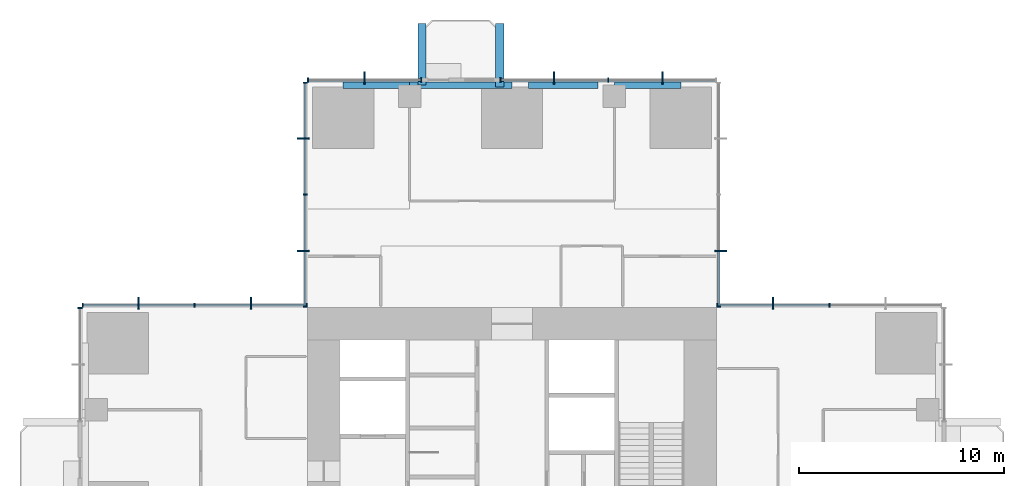
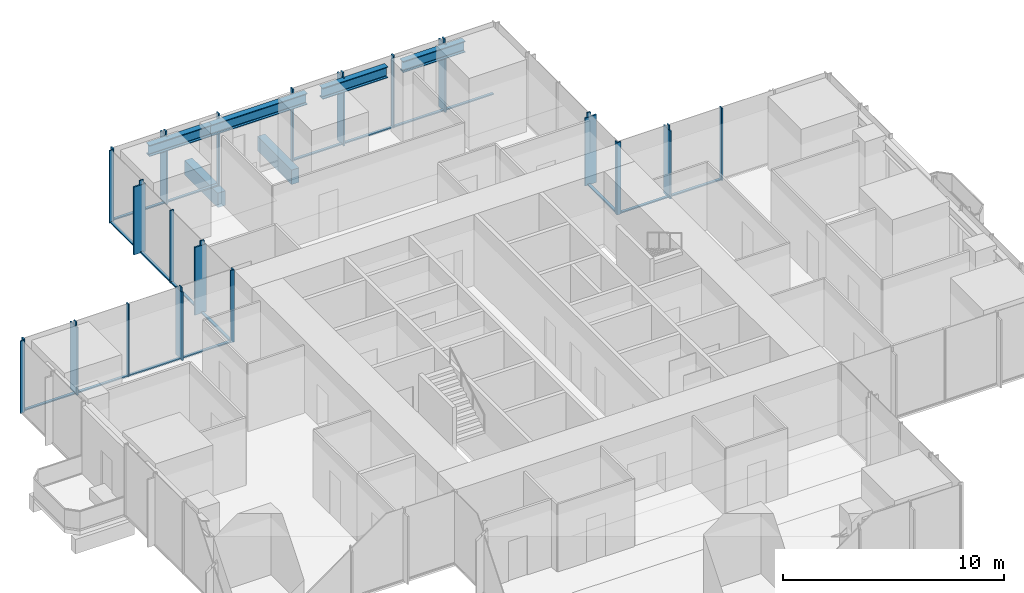
# One storey, part 5 of 13: 49 members, 6 beams, 7 elements without a shape of their own.
"""IFC4 building model written with IfcOpenShell, lengths in metres."""

import ifcopenshell
import ifcopenshell.guid

model = None  # the IFC model being written
_history = None  # IfcOwnerHistory: only IFC2X3 demands one
_inside = {}  # id of a spatial element -> (the spatial element, [elements in it])
_under = {}  # id of a project, library or spatial element -> (it, [spatial elements below it])
_declared = {}  # id of a project -> (the project, [libraries it declares])
_typed = {}  # id of a type object -> (the type object, [elements of that type])
_made_of = {}  # id of a material, layer set ... -> (it, [elements and type objects made of it])


def new_model(schema):
    """Start an empty IFC model of exactly this schema.

    Asked for "IFC4X3", IfcOpenShell would pick the latest addendum, in which some entities
    have other attributes; the version numbers below select the first issue.
    IFC2X3 requires an IfcOwnerHistory on every rooted entity: one is made here for all.
    """
    global model, _history
    if schema == "IFC4X3":
        model = ifcopenshell.file(schema_version=(4, 3, 0, 0))
    else:
        model = ifcopenshell.file(schema=schema)
    _inside.clear()
    _under.clear()
    _declared.clear()
    _typed.clear()
    _made_of.clear()
    _history = None
    if model.schema == "IFC2X3":
        org = make("IfcOrganization", Name="unknown")
        user = make(
            "IfcPersonAndOrganization",
            ThePerson=make("IfcPerson", FamilyName="unknown"),
            TheOrganization=org,
        )
        app = make(
            "IfcApplication",
            ApplicationDeveloper=org,
            Version="unknown",
            ApplicationFullName="unknown",
            ApplicationIdentifier="unknown",
        )
        _history = make(
            "IfcOwnerHistory",
            OwningUser=user,
            OwningApplication=app,
            ChangeAction="ADDED",
            CreationDate=0,
        )
    return model


def make(cls, **values):
    """One entity of the class cls with the attributes given. An attribute that is None is left unset."""
    return model.create_entity(
        cls, **{name: value for name, value in values.items() if value is not None}
    )


def rooted(cls, **values):
    """An entity with a GlobalId (a new one), such as an element, a storey or a relation."""
    return make(cls, GlobalId=ifcopenshell.guid.new(), OwnerHistory=_history, **values)


def si_unit(unit_type, name, prefix=None):
    """IfcSIUnit, for example si_unit("LENGTHUNIT", "METRE", prefix="MILLI")."""
    return make("IfcSIUnit", UnitType=unit_type, Prefix=prefix, Name=name)


def assignment(units):
    """IfcUnitAssignment: the units of a project."""
    return None if units is None else make("IfcUnitAssignment", Units=units)


def point(xyz):
    """IfcCartesianPoint."""
    return None if xyz is None else make("IfcCartesianPoint", Coordinates=xyz)


def direction(xyz):
    """IfcDirection."""
    return None if xyz is None else make("IfcDirection", DirectionRatios=xyz)


def frame(location, z_axis=None, x_axis=None):
    """IfcAxis2Placement3D, a coordinate frame: its origin and axes. An axis left out is left unset."""
    return make(
        "IfcAxis2Placement3D",
        Location=point(location),
        Axis=direction(z_axis),
        RefDirection=direction(x_axis),
    )


def frame_2d(location, x_axis=None):
    """IfcAxis2Placement2D, a coordinate frame in the plane: its origin and x axis."""
    return make(
        "IfcAxis2Placement2D", Location=point(location), RefDirection=direction(x_axis)
    )


def origin():
    """The frame at (0, 0, 0) with its axes left unset."""
    return frame((0.0, 0.0, 0.0))


def origin_2d():
    """The frame at (0, 0) in the plane with its x axis left unset."""
    return frame_2d((0.0, 0.0))


def place(relative_to, where):
    """IfcLocalPlacement: puts the frame where relative to a parent placement (None: the world)."""
    return make(
        "IfcLocalPlacement", PlacementRelTo=relative_to, RelativePlacement=where
    )


def context(
    kind, dimensions, precision=None, world=None, true_north=None, identifier=None
):
    """IfcGeometricRepresentationContext, for example the 3D "Model" context."""
    return make(
        "IfcGeometricRepresentationContext",
        ContextIdentifier=identifier,
        ContextType=kind,
        CoordinateSpaceDimension=dimensions,
        Precision=precision,
        WorldCoordinateSystem=world,
        TrueNorth=true_north,
    )


def subcontext(parent, identifier, kind, view, scale=None):
    """IfcGeometricRepresentationSubContext, for example "Body" below "Model"."""
    return make(
        "IfcGeometricRepresentationSubContext",
        ContextIdentifier=identifier,
        ContextType=kind,
        ParentContext=parent,
        TargetScale=scale,
        TargetView=view,
    )


def project(units=None, contexts=None):
    """IfcProject with its units and contexts."""
    return rooted(
        "IfcProject",
        Name="project",
        RepresentationContexts=contexts,
        UnitsInContext=assignment(units),
    )


def spatial(cls, under=None, at=None, **own):
    """A site, building, storey or space (cls), placed at a placement, below another one or the project."""
    s = rooted(cls, ObjectPlacement=at, **own)
    if under is not None:
        _under.setdefault(under.id(), (under, []))[1].append(s)
    return s


def profile(cls, at=None, kind="AREA", **sizes):
    """A parametric profile (cls). Its sizes go by their IFC names, for example OverallWidth=200.0."""
    return make(cls, ProfileType=kind, Position=at, **sizes)


def rectangle(**sizes):
    """IfcRectangleProfileDef."""
    return profile("IfcRectangleProfileDef", **sizes)


def i_section(**sizes):
    """IfcIShapeProfileDef."""
    return profile("IfcIShapeProfileDef", **sizes)


def extrude(swept, where, along, depth):
    """IfcExtrudedAreaSolid: the profile swept, set in the frame where, extruded along a direction by depth."""
    return make(
        "IfcExtrudedAreaSolid",
        SweptArea=swept,
        Position=where,
        ExtrudedDirection=direction(along),
        Depth=depth,
    )


def shape(context_of_items, identifier, shape_type, items):
    """IfcShapeRepresentation: the items that make up one representation, for example the "Body"."""
    return make(
        "IfcShapeRepresentation",
        ContextOfItems=context_of_items,
        RepresentationIdentifier=identifier,
        RepresentationType=shape_type,
        Items=items,
    )


def material(Name=None, Category=None):
    """IfcMaterial."""
    return make("IfcMaterial", Name=Name, Category=Category)


def material_profile(
    of_material, cross_section, Name=None, Category=None, Priority=None
):
    """IfcMaterialProfile: a cross section and its material."""
    return make(
        "IfcMaterialProfile",
        Name=Name,
        Material=of_material,
        Profile=cross_section,
        Priority=Priority,
        Category=Category,
    )


def profile_set(profiles, Name=None, composite=None):
    """IfcMaterialProfileSet."""
    return make(
        "IfcMaterialProfileSet",
        Name=Name,
        MaterialProfiles=profiles,
        CompositeProfile=composite,
    )


def made_of(thing, what):
    """Note that an element or type object is made of a material, layer set ...; save() writes the relation."""
    if what is not None:
        _made_of.setdefault(what.id(), (what, []))[1].append(thing)
    return thing


def type_object(cls, material=None, **own):
    """A type object (cls), such as IfcWallType, which elements share."""
    return made_of(rooted(cls, **own), material)


def element(
    cls,
    number,
    at=None,
    inside=None,
    cuts=None,
    type_object=None,
    material=None,
    context=None,
    identifier="Body",
    shape_type=None,
    held_by="IfcProductDefinitionShape",
    body=None,
    shapes=None,
    **own,
):
    """One element of the class cls, such as IfcWall. Its Tag is "e" and its number.

    at: its placement. inside: the storey or other place that contains it. cuts: it is an
    opening in that element (IfcRelVoidsElement). A single representation is given by context,
    identifier, shape_type and body (its items); several are given by shapes. held_by: the class
    of the entity that holds the representations. save() writes the other relations.
    """
    e = rooted(cls, Tag="e%d" % number, ObjectPlacement=at, **own)
    if body is not None:
        shapes = [shape(context, identifier, shape_type, body)]
    if shapes is not None:
        e.Representation = make(held_by, Representations=shapes)
    if inside is not None:
        _inside.setdefault(inside.id(), (inside, []))[1].append(e)
    if cuts is not None:
        rooted(
            "IfcRelVoidsElement", RelatingBuildingElement=cuts, RelatedOpeningElement=e
        )
    if type_object is not None:
        _typed.setdefault(type_object.id(), (type_object, []))[1].append(e)
    return made_of(e, material)


def aggregate(whole, parts):
    """IfcRelAggregates: a whole, such as a stair, and the parts it consists of."""
    return rooted("IfcRelAggregates", RelatingObject=whole, RelatedObjects=parts)


def save(model, path):
    """Write the relations noted so far, then the file.

    IfcRelAggregates (storeys below a building ...), IfcRelContainedInSpatialStructure (elements
    in a storey), IfcRelDefinesByType, IfcRelAssociatesMaterial and IfcRelDeclares: one each for
    every whole, place, type object, material and project.
    """
    for whole, parts in _under.values():
        aggregate(whole, parts)
    for where, things in _inside.values():
        rooted(
            "IfcRelContainedInSpatialStructure",
            RelatedElements=things,
            RelatingStructure=where,
        )
    for kind, things in _typed.values():
        rooted("IfcRelDefinesByType", RelatedObjects=things, RelatingType=kind)
    for what, things in _made_of.values():
        rooted("IfcRelAssociatesMaterial", RelatedObjects=things, RelatingMaterial=what)
    for by, libraries in _declared.values():
        rooted("IfcRelDeclares", RelatingContext=by, RelatedDefinitions=libraries)
    model.write(path)


model = new_model("IFC4")

# Units and contexts
model_context = context("Model", 3, precision=1e-05, world=origin(), true_north=direction((0.0, 1.0)))
body_context = subcontext(model_context, "Body", "Model", "MODEL_VIEW")
ifc_project = project(units=[si_unit("LENGTHUNIT", "METRE"), si_unit("AREAUNIT", "SQUARE_METRE"), si_unit("VOLUMEUNIT", "CUBIC_METRE"), si_unit("PLANEANGLEUNIT", "RADIAN"), si_unit("MASSUNIT", "GRAM", prefix="KILO")], contexts=[model_context])

# Site, building, storey
site_placement = place(None, origin())
site = spatial("IfcSite", under=ifc_project, at=site_placement, CompositionType="ELEMENT")
building_placement = place(site_placement, origin())
building = spatial("IfcBuilding", under=site, at=building_placement, Name="Svetlomir Tower", CompositionType="ELEMENT")
storey_placement = place(building_placement, frame((0.0, 0.0, 140.5)))
storey = spatial("IfcBuildingStorey", under=building, at=storey_placement, Name="L33", CompositionType="ELEMENT", Elevation=140.5)

# Beams
ifc_material_1 = material(Name="Concrete C60/75", Category="concrete")
ifc_material_profile_1 = material_profile(ifc_material_1, rectangle(XDim=0.39990234375, YDim=0.800048828125, at=origin_2d()), Name="RC 400x800")
ifc_profile_set_1 = profile_set([ifc_material_profile_1], Name="Concrete C60/75")
beam_type_1 = type_object("IfcBeamType", Name="BALCONY RIB RC 400x800", PredefinedType="BEAM", material=ifc_profile_set_1)
beam_1_placement = place(storey_placement, frame((16.60009765625, 41.85009765625, -0.64990234375), z_axis=(0.0, 1.0, 0.0), x_axis=(-1.0, 0.0, 0.0)))
element("IfcBeam", 1, at=beam_1_placement, inside=storey, type_object=beam_type_1, Name="Balcony rib N 1 L33", PredefinedType="BEAM", context=body_context, shape_type="SweptSolid", body=[
    extrude(rectangle(XDim=0.39990234375, YDim=0.800048828125, at=origin_2d()), origin(), (0.0, 0.0, 1.0), 3.0),
])
beam_2_placement = place(storey_placement, frame((20.39990234375, 41.75, -0.64990234375), z_axis=(0.0, 1.0, 0.0), x_axis=(-1.0, 0.0, 0.0)))
element("IfcBeam", 2, at=beam_2_placement, inside=storey, type_object=beam_type_1, Name="Balcony rib N 2 L33", PredefinedType="BEAM", context=body_context, shape_type="SweptSolid", body=[
    extrude(rectangle(XDim=0.39990234375, YDim=0.800048828125, at=origin_2d()), origin(), (0.0, 0.0, 1.0), 3.10009765625),
])

# Curtain wall, member
ifc_material_2 = material(Name="Bronze anodised aluminium curtain wall", Category="aluminium")
curtain_wall_type = type_object("IfcCurtainWallType", Name="CURTAIN WALL CW1 TOWER OFFICE", PredefinedType="NOTDEFINED", material=ifc_material_2)
curtain_wall_1_placement = place(storey_placement, origin())
curtain_wall_1 = element("IfcCurtainWall", 3, at=curtain_wall_1_placement, inside=storey, type_object=curtain_wall_type, Name="Curtain wall CW1 L33", PredefinedType="NOTDEFINED")
ifc_material_3 = material(Name="Bronze anodised aluminium", Category="aluminium")
ifc_material_profile_2 = material_profile(ifc_material_3, rectangle(XDim=0.080078125, YDim=0.60009765625, at=origin_2d()), Name="FIN 80x600")
ifc_profile_set_2 = profile_set([ifc_material_profile_2], Name="Bronze anodised aluminium 6063-T6")
member_type_1 = type_object("IfcMemberType", Name="BRONZE FIN 80x600", PredefinedType="USERDEFINED", material=ifc_profile_set_2)
member_1_placement = place(storey_placement, frame((33.75, 31.199951171875, 0.0), z_axis=(0.0, 0.0, 1.0), x_axis=(1.0, 0.0, 0.0)))
member_1 = element("IfcMember", 4, at=member_1_placement, type_object=member_type_1, Name="Bronze fin L33", ObjectType="FIN", PredefinedType="USERDEFINED", context=body_context, shape_type="SweptSolid", body=[
    extrude(rectangle(XDim=0.080078125, YDim=0.60009765625, at=origin_2d()), origin(), (0.0, 0.0, 1.0), 3.75),
])

curtain_wall_2_placement = place(storey_placement, origin())
curtain_wall_2 = element("IfcCurtainWall", 5, at=curtain_wall_2_placement, inside=storey, type_object=curtain_wall_type, Name="Curtain wall CW1 L33", PredefinedType="NOTDEFINED")
member_2_placement = place(storey_placement, frame((31.199951171875, 33.75, 0.0), z_axis=(0.0, 0.0, 1.0), x_axis=(0.0, 1.0, 0.0)))
member_2 = element("IfcMember", 6, at=member_2_placement, type_object=member_type_1, Name="Bronze fin L33", ObjectType="FIN", PredefinedType="USERDEFINED", context=body_context, shape_type="SweptSolid", body=[
    extrude(rectangle(XDim=0.080078125, YDim=0.60009765625, at=origin_2d()), origin(), (0.0, 0.0, 1.0), 3.75),
])

# Curtain wall, members
curtain_wall_3_placement = place(storey_placement, origin())
curtain_wall_3 = element("IfcCurtainWall", 7, at=curtain_wall_3_placement, inside=storey, type_object=curtain_wall_type, Name="Curtain wall CW1 L33", PredefinedType="NOTDEFINED")
member_3_placement = place(storey_placement, frame((28.35009765625, 42.199951171875, 0.0), z_axis=(0.0, 0.0, 1.0), x_axis=(1.0, 0.0, 0.0)))
member_3 = element("IfcMember", 8, at=member_3_placement, type_object=member_type_1, Name="Bronze fin L33", ObjectType="FIN", PredefinedType="USERDEFINED", context=body_context, shape_type="SweptSolid", body=[
    extrude(rectangle(XDim=0.080078125, YDim=0.60009765625, at=origin_2d()), origin(), (0.0, 0.0, 1.0), 3.75),
])
member_4_placement = place(storey_placement, frame((23.050048828125, 42.199951171875, 0.0), z_axis=(0.0, 0.0, 1.0), x_axis=(1.0, 0.0, 0.0)))
member_4 = element("IfcMember", 9, at=member_4_placement, type_object=member_type_1, Name="Bronze fin L33", ObjectType="FIN", PredefinedType="USERDEFINED", context=body_context, shape_type="SweptSolid", body=[
    extrude(rectangle(XDim=0.080078125, YDim=0.60009765625, at=origin_2d()), origin(), (0.0, 0.0, 1.0), 3.75),
])

# Curtain wall, member
curtain_wall_4_placement = place(storey_placement, origin())
curtain_wall_4 = element("IfcCurtainWall", 10, at=curtain_wall_4_placement, inside=storey, type_object=curtain_wall_type, Name="Curtain wall CW1 L33", PredefinedType="NOTDEFINED")
member_5_placement = place(storey_placement, frame((13.800048828125, 42.199951171875, 0.0), z_axis=(0.0, 0.0, 1.0), x_axis=(1.0, 0.0, 0.0)))
member_5 = element("IfcMember", 11, at=member_5_placement, type_object=member_type_1, Name="Bronze fin L33", ObjectType="FIN", PredefinedType="USERDEFINED", context=body_context, shape_type="SweptSolid", body=[
    extrude(rectangle(XDim=0.080078125, YDim=0.60009765625, at=origin_2d()), origin(), (0.0, 0.0, 1.0), 3.75),
])

# Curtain wall, members
curtain_wall_5_placement = place(storey_placement, origin())
curtain_wall_5 = element("IfcCurtainWall", 12, at=curtain_wall_5_placement, inside=storey, type_object=curtain_wall_type, Name="Curtain wall CW1 L33", PredefinedType="NOTDEFINED")
member_6_placement = place(storey_placement, frame((10.800048828125, 39.25, 0.0), z_axis=(0.0, 0.0, 1.0), x_axis=(0.0, 1.0, 0.0)))
member_6 = element("IfcMember", 13, at=member_6_placement, type_object=member_type_1, Name="Bronze fin L33", ObjectType="FIN", PredefinedType="USERDEFINED", context=body_context, shape_type="SweptSolid", body=[
    extrude(rectangle(XDim=0.080078125, YDim=0.60009765625, at=origin_2d()), origin(), (0.0, 0.0, 1.0), 3.75),
])
member_7_placement = place(storey_placement, frame((10.800048828125, 33.75, 0.0), z_axis=(0.0, 0.0, 1.0), x_axis=(0.0, 1.0, 0.0)))
member_7 = element("IfcMember", 14, at=member_7_placement, type_object=member_type_1, Name="Bronze fin L33", ObjectType="FIN", PredefinedType="USERDEFINED", context=body_context, shape_type="SweptSolid", body=[
    extrude(rectangle(XDim=0.080078125, YDim=0.60009765625, at=origin_2d()), origin(), (0.0, 0.0, 1.0), 3.75),
])

curtain_wall_6_placement = place(storey_placement, origin())
curtain_wall_6 = element("IfcCurtainWall", 15, at=curtain_wall_6_placement, inside=storey, type_object=curtain_wall_type, Name="Curtain wall CW1 L33", PredefinedType="NOTDEFINED")
member_8_placement = place(storey_placement, frame((8.25, 31.199951171875, 0.0), z_axis=(0.0, 0.0, 1.0), x_axis=(1.0, 0.0, 0.0)))
member_8 = element("IfcMember", 16, at=member_8_placement, type_object=member_type_1, Name="Bronze fin L33", ObjectType="FIN", PredefinedType="USERDEFINED", context=body_context, shape_type="SweptSolid", body=[
    extrude(rectangle(XDim=0.080078125, YDim=0.60009765625, at=origin_2d()), origin(), (0.0, 0.0, 1.0), 3.75),
])
member_9_placement = place(storey_placement, frame((2.75, 31.199951171875, 0.0), z_axis=(0.0, 0.0, 1.0), x_axis=(1.0, 0.0, 0.0)))
member_9 = element("IfcMember", 17, at=member_9_placement, type_object=member_type_1, Name="Bronze fin L33", ObjectType="FIN", PredefinedType="USERDEFINED", context=body_context, shape_type="SweptSolid", body=[
    extrude(rectangle(XDim=0.080078125, YDim=0.60009765625, at=origin_2d()), origin(), (0.0, 0.0, 1.0), 3.75),
])

# Member
ifc_material_4 = material(Name="Bronze anodised aluminium", Category="aluminium")
ifc_material_profile_3 = material_profile(ifc_material_4, rectangle(XDim=0.06494140625, YDim=0.199951171875, at=origin_2d()), Name="AL 65x200")
ifc_profile_set_3 = profile_set([ifc_material_profile_3], Name="Bronze anodised aluminium 6063-T6")
member_type_2 = type_object("IfcMemberType", Name="CW1 MULLION 65x200", PredefinedType="MULLION", material=ifc_profile_set_3)
member_10_placement = place(storey_placement, frame((36.5, 31.10009765625, 0.0), z_axis=(0.0, 0.0, 1.0), x_axis=(-1.0, 0.0, 0.0)))
member_10 = element("IfcMember", 18, at=member_10_placement, type_object=member_type_2, Name="CW1 mullion 3", PredefinedType="MULLION", context=body_context, shape_type="SweptSolid", body=[
    extrude(rectangle(XDim=0.06494140625, YDim=0.199951171875, at=origin_2d()), origin(), (0.0, 0.0, 1.0), 4.0),
])

member_11_placement = place(storey_placement, frame((33.75, 31.10009765625, 0.0), z_axis=(0.0, 0.0, 1.0), x_axis=(-1.0, 0.0, 0.0)))
member_11 = element("IfcMember", 19, at=member_11_placement, type_object=member_type_2, Name="CW1 mullion 4", PredefinedType="MULLION", context=body_context, shape_type="SweptSolid", body=[
    extrude(rectangle(XDim=0.06494140625, YDim=0.199951171875, at=origin_2d()), origin(), (0.0, 0.0, 1.0), 4.0),
])

member_12_placement = place(storey_placement, frame((31.032470703125, 31.10009765625, 0.0), z_axis=(0.0, 0.0, 1.0), x_axis=(-1.0, 0.0, 0.0)))
member_12 = element("IfcMember", 20, at=member_12_placement, type_object=member_type_2, Name="CW1 mullion 5", PredefinedType="MULLION", context=body_context, shape_type="SweptSolid", body=[
    extrude(rectangle(XDim=0.06494140625, YDim=0.199951171875, at=origin_2d()), origin(), (0.0, 0.0, 1.0), 4.0),
])

member_13_placement = place(storey_placement, frame((31.10009765625, 31.032470703125, 0.0), z_axis=(0.0, 0.0, 1.0), x_axis=(0.0, 1.0, 0.0)))
member_13 = element("IfcMember", 21, at=member_13_placement, type_object=member_type_2, Name="CW1 mullion 1", PredefinedType="MULLION", context=body_context, shape_type="SweptSolid", body=[
    extrude(rectangle(XDim=0.06494140625, YDim=0.199951171875, at=origin_2d()), origin(), (0.0, 0.0, 1.0), 4.0),
])

member_14_placement = place(storey_placement, frame((31.10009765625, 33.75, 0.0), z_axis=(0.0, 0.0, 1.0), x_axis=(0.0, 1.0, 0.0)))
member_14 = element("IfcMember", 22, at=member_14_placement, type_object=member_type_2, Name="CW1 mullion 2", PredefinedType="MULLION", context=body_context, shape_type="SweptSolid", body=[
    extrude(rectangle(XDim=0.06494140625, YDim=0.199951171875, at=origin_2d()), origin(), (0.0, 0.0, 1.0), 4.0),
])

member_15_placement = place(storey_placement, frame((28.35009765625, 42.10009765625, 0.0), z_axis=(0.0, 0.0, 1.0), x_axis=(-1.0, 0.0, 0.0)))
member_15 = element("IfcMember", 23, at=member_15_placement, type_object=member_type_2, Name="CW1 mullion 2", PredefinedType="MULLION", context=body_context, shape_type="SweptSolid", body=[
    extrude(rectangle(XDim=0.06494140625, YDim=0.199951171875, at=origin_2d()), origin(), (0.0, 0.0, 1.0), 4.0),
])

member_16_placement = place(storey_placement, frame((25.699951171875, 42.10009765625, 0.0), z_axis=(0.0, 0.0, 1.0), x_axis=(-1.0, 0.0, 0.0)))
member_16 = element("IfcMember", 24, at=member_16_placement, type_object=member_type_2, Name="CW1 mullion 3", PredefinedType="MULLION", context=body_context, shape_type="SweptSolid", body=[
    extrude(rectangle(XDim=0.06494140625, YDim=0.199951171875, at=origin_2d()), origin(), (0.0, 0.0, 1.0), 4.0),
])

member_17_placement = place(storey_placement, frame((23.050048828125, 42.10009765625, 0.0), z_axis=(0.0, 0.0, 1.0), x_axis=(-1.0, 0.0, 0.0)))
member_17 = element("IfcMember", 25, at=member_17_placement, type_object=member_type_2, Name="CW1 mullion 4", PredefinedType="MULLION", context=body_context, shape_type="SweptSolid", body=[
    extrude(rectangle(XDim=0.06494140625, YDim=0.199951171875, at=origin_2d()), origin(), (0.0, 0.0, 1.0), 4.0),
])

member_18_placement = place(storey_placement, frame((20.4326171875, 42.10009765625, 0.0), z_axis=(0.0, 0.0, 1.0), x_axis=(-1.0, 0.0, 0.0)))
member_18 = element("IfcMember", 26, at=member_18_placement, type_object=member_type_2, Name="CW1 mullion 5", PredefinedType="MULLION", context=body_context, shape_type="SweptSolid", body=[
    extrude(rectangle(XDim=0.06494140625, YDim=0.199951171875, at=origin_2d()), origin(), (0.0, 0.0, 1.0), 4.0),
])

member_19_placement = place(storey_placement, frame((16.5673828125, 42.10009765625, 0.0), z_axis=(0.0, 0.0, 1.0), x_axis=(-1.0, 0.0, 0.0)))
member_19 = element("IfcMember", 27, at=member_19_placement, type_object=member_type_2, Name="CW1 mullion 1", PredefinedType="MULLION", context=body_context, shape_type="SweptSolid", body=[
    extrude(rectangle(XDim=0.06494140625, YDim=0.199951171875, at=origin_2d()), origin(), (0.0, 0.0, 1.0), 4.0),
])

member_20_placement = place(storey_placement, frame((13.800048828125, 42.10009765625, 0.0), z_axis=(0.0, 0.0, 1.0), x_axis=(-1.0, 0.0, 0.0)))
member_20 = element("IfcMember", 28, at=member_20_placement, type_object=member_type_2, Name="CW1 mullion 2", PredefinedType="MULLION", context=body_context, shape_type="SweptSolid", body=[
    extrude(rectangle(XDim=0.06494140625, YDim=0.199951171875, at=origin_2d()), origin(), (0.0, 0.0, 1.0), 4.0),
])

member_21_placement = place(storey_placement, frame((11.032470703125, 42.10009765625, 0.0), z_axis=(0.0, 0.0, 1.0), x_axis=(-1.0, 0.0, 0.0)))
member_21 = element("IfcMember", 29, at=member_21_placement, type_object=member_type_2, Name="CW1 mullion 3", PredefinedType="MULLION", context=body_context, shape_type="SweptSolid", body=[
    extrude(rectangle(XDim=0.06494140625, YDim=0.199951171875, at=origin_2d()), origin(), (0.0, 0.0, 1.0), 4.0),
])

member_22_placement = place(storey_placement, frame((10.89990234375, 41.967529296875, 0.0), z_axis=(0.0, 0.0, 1.0), x_axis=(0.0, -1.0, 0.0)))
member_22 = element("IfcMember", 30, at=member_22_placement, type_object=member_type_2, Name="CW1 mullion 1", PredefinedType="MULLION", context=body_context, shape_type="SweptSolid", body=[
    extrude(rectangle(XDim=0.06494140625, YDim=0.199951171875, at=origin_2d()), origin(), (0.0, 0.0, 1.0), 4.0),
])

member_23_placement = place(storey_placement, frame((10.89990234375, 39.25, 0.0), z_axis=(0.0, 0.0, 1.0), x_axis=(0.0, -1.0, 0.0)))
member_23 = element("IfcMember", 31, at=member_23_placement, type_object=member_type_2, Name="CW1 mullion 2", PredefinedType="MULLION", context=body_context, shape_type="SweptSolid", body=[
    extrude(rectangle(XDim=0.06494140625, YDim=0.199951171875, at=origin_2d()), origin(), (0.0, 0.0, 1.0), 4.0),
])

member_24_placement = place(storey_placement, frame((10.89990234375, 36.5, 0.0), z_axis=(0.0, 0.0, 1.0), x_axis=(0.0, -1.0, 0.0)))
member_24 = element("IfcMember", 32, at=member_24_placement, type_object=member_type_2, Name="CW1 mullion 3", PredefinedType="MULLION", context=body_context, shape_type="SweptSolid", body=[
    extrude(rectangle(XDim=0.06494140625, YDim=0.199951171875, at=origin_2d()), origin(), (0.0, 0.0, 1.0), 4.0),
])

member_25_placement = place(storey_placement, frame((10.89990234375, 33.75, 0.0), z_axis=(0.0, 0.0, 1.0), x_axis=(0.0, -1.0, 0.0)))
member_25 = element("IfcMember", 33, at=member_25_placement, type_object=member_type_2, Name="CW1 mullion 4", PredefinedType="MULLION", context=body_context, shape_type="SweptSolid", body=[
    extrude(rectangle(XDim=0.06494140625, YDim=0.199951171875, at=origin_2d()), origin(), (0.0, 0.0, 1.0), 4.0),
])

member_26_placement = place(storey_placement, frame((10.89990234375, 31.032470703125, 0.0), z_axis=(0.0, 0.0, 1.0), x_axis=(0.0, -1.0, 0.0)))
member_26 = element("IfcMember", 34, at=member_26_placement, type_object=member_type_2, Name="CW1 mullion 5", PredefinedType="MULLION", context=body_context, shape_type="SweptSolid", body=[
    extrude(rectangle(XDim=0.06494140625, YDim=0.199951171875, at=origin_2d()), origin(), (0.0, 0.0, 1.0), 4.0),
])

member_27_placement = place(storey_placement, frame((10.967529296875, 31.10009765625, 0.0), z_axis=(0.0, 0.0, 1.0), x_axis=(-1.0, 0.0, 0.0)))
member_27 = element("IfcMember", 35, at=member_27_placement, type_object=member_type_2, Name="CW1 mullion 1", PredefinedType="MULLION", context=body_context, shape_type="SweptSolid", body=[
    extrude(rectangle(XDim=0.06494140625, YDim=0.199951171875, at=origin_2d()), origin(), (0.0, 0.0, 1.0), 4.0),
])

member_28_placement = place(storey_placement, frame((8.25, 31.10009765625, 0.0), z_axis=(0.0, 0.0, 1.0), x_axis=(-1.0, 0.0, 0.0)))
member_28 = element("IfcMember", 36, at=member_28_placement, type_object=member_type_2, Name="CW1 mullion 2", PredefinedType="MULLION", context=body_context, shape_type="SweptSolid", body=[
    extrude(rectangle(XDim=0.06494140625, YDim=0.199951171875, at=origin_2d()), origin(), (0.0, 0.0, 1.0), 4.0),
])

member_29_placement = place(storey_placement, frame((5.5, 31.10009765625, 0.0), z_axis=(0.0, 0.0, 1.0), x_axis=(-1.0, 0.0, 0.0)))
member_29 = element("IfcMember", 37, at=member_29_placement, type_object=member_type_2, Name="CW1 mullion 3", PredefinedType="MULLION", context=body_context, shape_type="SweptSolid", body=[
    extrude(rectangle(XDim=0.06494140625, YDim=0.199951171875, at=origin_2d()), origin(), (0.0, 0.0, 1.0), 4.0),
])

member_30_placement = place(storey_placement, frame((2.75, 31.10009765625, 0.0), z_axis=(0.0, 0.0, 1.0), x_axis=(-1.0, 0.0, 0.0)))
member_30 = element("IfcMember", 38, at=member_30_placement, type_object=member_type_2, Name="CW1 mullion 4", PredefinedType="MULLION", context=body_context, shape_type="SweptSolid", body=[
    extrude(rectangle(XDim=0.06494140625, YDim=0.199951171875, at=origin_2d()), origin(), (0.0, 0.0, 1.0), 4.0),
])

member_31_placement = place(storey_placement, frame((0.032470703125, 31.10009765625, 0.0), z_axis=(0.0, 0.0, 1.0), x_axis=(-1.0, 0.0, 0.0)))
member_31 = element("IfcMember", 39, at=member_31_placement, type_object=member_type_2, Name="CW1 mullion 5", PredefinedType="MULLION", context=body_context, shape_type="SweptSolid", body=[
    extrude(rectangle(XDim=0.06494140625, YDim=0.199951171875, at=origin_2d()), origin(), (0.0, 0.0, 1.0), 4.0),
])

# Curtain wall, member
curtain_wall_7_placement = place(storey_placement, origin())
curtain_wall_7 = element("IfcCurtainWall", 40, at=curtain_wall_7_placement, inside=storey, type_object=curtain_wall_type, Name="Curtain wall CW1 L33", PredefinedType="NOTDEFINED")
member_32_placement = place(storey_placement, frame((-0.10009765625, 30.967529296875, 0.0), z_axis=(0.0, 0.0, 1.0), x_axis=(0.0, -1.0, 0.0)))
member_32 = element("IfcMember", 41, at=member_32_placement, type_object=member_type_2, Name="CW1 mullion 1", PredefinedType="MULLION", context=body_context, shape_type="SweptSolid", body=[
    extrude(rectangle(XDim=0.06494140625, YDim=0.199951171875, at=origin_2d()), origin(), (0.0, 0.0, 1.0), 4.0),
])
aggregate(curtain_wall_7, [member_32])

# Member
ifc_material_5 = material(Name="Bronze anodised aluminium", Category="aluminium")
ifc_material_profile_4 = material_profile(ifc_material_5, rectangle(XDim=0.139892578125, YDim=0.06494140625, at=origin_2d()), Name="AL 140x65")
ifc_profile_set_4 = profile_set([ifc_material_profile_4], Name="Bronze anodised aluminium 6063-T6")
member_type_3 = type_object("IfcMemberType", Name="CW1 TRANSOM 65x140", PredefinedType="USERDEFINED", material=ifc_profile_set_4)
member_33_placement = place(storey_placement, frame((36.467529296875, 31.10009765625, 0.032470703125), z_axis=(-1.0, 0.0, 0.0), x_axis=(0.0, -1.0, 0.0)))
member_33 = element("IfcMember", 42, at=member_33_placement, type_object=member_type_3, Name="CW1 transom 3.1", ObjectType="TRANSOM", PredefinedType="USERDEFINED", context=body_context, shape_type="SweptSolid", body=[
    extrude(rectangle(XDim=0.139892578125, YDim=0.06494140625, at=origin_2d()), origin(), (0.0, 0.0, 1.0), 2.68505859375),
])

member_34_placement = place(storey_placement, frame((33.717529296875, 31.10009765625, 0.032470703125), z_axis=(-1.0, 0.0, 0.0), x_axis=(0.0, -1.0, 0.0)))
member_34 = element("IfcMember", 43, at=member_34_placement, type_object=member_type_3, Name="CW1 transom 4.1", ObjectType="TRANSOM", PredefinedType="USERDEFINED", context=body_context, shape_type="SweptSolid", body=[
    extrude(rectangle(XDim=0.139892578125, YDim=0.06494140625, at=origin_2d()), origin(), (0.0, 0.0, 1.0), 2.652587890625),
])

aggregate(curtain_wall_1, [member_10, member_11, member_12, member_33, member_34, member_1])

member_35_placement = place(storey_placement, frame((31.10009765625, 31.06494140625, 0.032470703125), z_axis=(0.0, 1.0, 0.0), x_axis=(-1.0, 0.0, 0.0)))
member_35 = element("IfcMember", 44, at=member_35_placement, type_object=member_type_3, Name="CW1 transom 1.1", ObjectType="TRANSOM", PredefinedType="USERDEFINED", context=body_context, shape_type="SweptSolid", body=[
    extrude(rectangle(XDim=0.139892578125, YDim=0.06494140625, at=origin_2d()), origin(), (0.0, 0.0, 1.0), 2.652587890625),
])

aggregate(curtain_wall_2, [member_13, member_14, member_35, member_2])

member_36_placement = place(storey_placement, frame((30.93505859375, 42.10009765625, 0.032470703125), z_axis=(-1.0, 0.0, 0.0), x_axis=(0.0, -1.0, 0.0)))
member_36 = element("IfcMember", 45, at=member_36_placement, type_object=member_type_3, Name="CW1 transom 1.1", ObjectType="TRANSOM", PredefinedType="USERDEFINED", context=body_context, shape_type="SweptSolid", body=[
    extrude(rectangle(XDim=0.139892578125, YDim=0.06494140625, at=origin_2d()), origin(), (0.0, 0.0, 1.0), 2.552490234375),
])

member_37_placement = place(storey_placement, frame((28.3173828125, 42.10009765625, 0.032470703125), z_axis=(-1.0, 0.0, 0.0), x_axis=(0.0, -1.0, 0.0)))
member_37 = element("IfcMember", 46, at=member_37_placement, type_object=member_type_3, Name="CW1 transom 2.1", ObjectType="TRANSOM", PredefinedType="USERDEFINED", context=body_context, shape_type="SweptSolid", body=[
    extrude(rectangle(XDim=0.139892578125, YDim=0.06494140625, at=origin_2d()), origin(), (0.0, 0.0, 1.0), 2.5849609375),
])

member_38_placement = place(storey_placement, frame((25.66748046875, 42.10009765625, 0.032470703125), z_axis=(-1.0, 0.0, 0.0), x_axis=(0.0, -1.0, 0.0)))
member_38 = element("IfcMember", 47, at=member_38_placement, type_object=member_type_3, Name="CW1 transom 3.1", ObjectType="TRANSOM", PredefinedType="USERDEFINED", context=body_context, shape_type="SweptSolid", body=[
    extrude(rectangle(XDim=0.139892578125, YDim=0.06494140625, at=origin_2d()), origin(), (0.0, 0.0, 1.0), 2.5849609375),
])

member_39_placement = place(storey_placement, frame((23.017578125, 42.10009765625, 0.032470703125), z_axis=(-1.0, 0.0, 0.0), x_axis=(0.0, -1.0, 0.0)))
member_39 = element("IfcMember", 48, at=member_39_placement, type_object=member_type_3, Name="CW1 transom 4.1", ObjectType="TRANSOM", PredefinedType="USERDEFINED", context=body_context, shape_type="SweptSolid", body=[
    extrude(rectangle(XDim=0.139892578125, YDim=0.06494140625, at=origin_2d()), origin(), (0.0, 0.0, 1.0), 2.552490234375),
])

aggregate(curtain_wall_3, [member_15, member_16, member_17, member_18, member_36, member_37, member_38, member_39, member_3, member_4])

member_40_placement = place(storey_placement, frame((16.534912109375, 42.10009765625, 0.032470703125), z_axis=(-1.0, 0.0, 0.0), x_axis=(0.0, -1.0, 0.0)))
member_40 = element("IfcMember", 49, at=member_40_placement, type_object=member_type_3, Name="CW1 transom 1.1", ObjectType="TRANSOM", PredefinedType="USERDEFINED", context=body_context, shape_type="SweptSolid", body=[
    extrude(rectangle(XDim=0.139892578125, YDim=0.06494140625, at=origin_2d()), origin(), (0.0, 0.0, 1.0), 2.702392578125),
])

member_41_placement = place(storey_placement, frame((13.767578125, 42.10009765625, 0.032470703125), z_axis=(-1.0, 0.0, 0.0), x_axis=(0.0, -1.0, 0.0)))
member_41 = element("IfcMember", 50, at=member_41_placement, type_object=member_type_3, Name="CW1 transom 2.1", ObjectType="TRANSOM", PredefinedType="USERDEFINED", context=body_context, shape_type="SweptSolid", body=[
    extrude(rectangle(XDim=0.139892578125, YDim=0.06494140625, at=origin_2d()), origin(), (0.0, 0.0, 1.0), 2.70263671875),
])

aggregate(curtain_wall_4, [member_19, member_20, member_21, member_40, member_41, member_5])

member_42_placement = place(storey_placement, frame((10.89990234375, 41.93505859375, 0.032470703125), z_axis=(0.0, -1.0, 0.0), x_axis=(1.0, 0.0, 0.0)))
member_42 = element("IfcMember", 51, at=member_42_placement, type_object=member_type_3, Name="CW1 transom 1.1", ObjectType="TRANSOM", PredefinedType="USERDEFINED", context=body_context, shape_type="SweptSolid", body=[
    extrude(rectangle(XDim=0.139892578125, YDim=0.06494140625, at=origin_2d()), origin(), (0.0, 0.0, 1.0), 2.652587890625),
])

member_43_placement = place(storey_placement, frame((10.89990234375, 39.217529296875, 0.032470703125), z_axis=(0.0, -1.0, 0.0), x_axis=(1.0, 0.0, 0.0)))
member_43 = element("IfcMember", 52, at=member_43_placement, type_object=member_type_3, Name="CW1 transom 2.1", ObjectType="TRANSOM", PredefinedType="USERDEFINED", context=body_context, shape_type="SweptSolid", body=[
    extrude(rectangle(XDim=0.139892578125, YDim=0.06494140625, at=origin_2d()), origin(), (0.0, 0.0, 1.0), 2.68505859375),
])

member_44_placement = place(storey_placement, frame((10.89990234375, 36.467529296875, 0.032470703125), z_axis=(0.0, -1.0, 0.0), x_axis=(1.0, 0.0, 0.0)))
member_44 = element("IfcMember", 53, at=member_44_placement, type_object=member_type_3, Name="CW1 transom 3.1", ObjectType="TRANSOM", PredefinedType="USERDEFINED", context=body_context, shape_type="SweptSolid", body=[
    extrude(rectangle(XDim=0.139892578125, YDim=0.06494140625, at=origin_2d()), origin(), (0.0, 0.0, 1.0), 2.68505859375),
])

member_45_placement = place(storey_placement, frame((10.89990234375, 33.717529296875, 0.032470703125), z_axis=(0.0, -1.0, 0.0), x_axis=(1.0, 0.0, 0.0)))
member_45 = element("IfcMember", 54, at=member_45_placement, type_object=member_type_3, Name="CW1 transom 4.1", ObjectType="TRANSOM", PredefinedType="USERDEFINED", context=body_context, shape_type="SweptSolid", body=[
    extrude(rectangle(XDim=0.139892578125, YDim=0.06494140625, at=origin_2d()), origin(), (0.0, 0.0, 1.0), 2.652587890625),
])

aggregate(curtain_wall_5, [member_22, member_23, member_24, member_25, member_26, member_42, member_43, member_44, member_45, member_6, member_7])

member_46_placement = place(storey_placement, frame((10.93505859375, 31.10009765625, 0.032470703125), z_axis=(-1.0, 0.0, 0.0), x_axis=(0.0, -1.0, 0.0)))
member_46 = element("IfcMember", 55, at=member_46_placement, type_object=member_type_3, Name="CW1 transom 1.1", ObjectType="TRANSOM", PredefinedType="USERDEFINED", context=body_context, shape_type="SweptSolid", body=[
    extrude(rectangle(XDim=0.139892578125, YDim=0.06494140625, at=origin_2d()), origin(), (0.0, 0.0, 1.0), 2.652587890625),
])

member_47_placement = place(storey_placement, frame((8.217529296875, 31.10009765625, 0.032470703125), z_axis=(-1.0, 0.0, 0.0), x_axis=(0.0, -1.0, 0.0)))
member_47 = element("IfcMember", 56, at=member_47_placement, type_object=member_type_3, Name="CW1 transom 2.1", ObjectType="TRANSOM", PredefinedType="USERDEFINED", context=body_context, shape_type="SweptSolid", body=[
    extrude(rectangle(XDim=0.139892578125, YDim=0.06494140625, at=origin_2d()), origin(), (0.0, 0.0, 1.0), 2.68505859375),
])

member_48_placement = place(storey_placement, frame((5.467529296875, 31.10009765625, 0.032470703125), z_axis=(-1.0, 0.0, 0.0), x_axis=(0.0, -1.0, 0.0)))
member_48 = element("IfcMember", 57, at=member_48_placement, type_object=member_type_3, Name="CW1 transom 3.1", ObjectType="TRANSOM", PredefinedType="USERDEFINED", context=body_context, shape_type="SweptSolid", body=[
    extrude(rectangle(XDim=0.139892578125, YDim=0.06494140625, at=origin_2d()), origin(), (0.0, 0.0, 1.0), 2.68505859375),
])

member_49_placement = place(storey_placement, frame((2.717529296875, 31.10009765625, 0.032470703125), z_axis=(-1.0, 0.0, 0.0), x_axis=(0.0, -1.0, 0.0)))
member_49 = element("IfcMember", 58, at=member_49_placement, type_object=member_type_3, Name="CW1 transom 4.1", ObjectType="TRANSOM", PredefinedType="USERDEFINED", context=body_context, shape_type="SweptSolid", body=[
    extrude(rectangle(XDim=0.139892578125, YDim=0.06494140625, at=origin_2d()), origin(), (0.0, 0.0, 1.0), 2.652587890625),
])

aggregate(curtain_wall_6, [member_27, member_28, member_29, member_30, member_31, member_46, member_47, member_48, member_49, member_8, member_9])

# Beams
ifc_material_6 = material(Name="Steel S355", Category="steel")
ifc_material_profile_5 = material_profile(ifc_material_6, i_section(OverallWidth=0.304931640625, OverallDepth=0.6201171875, WebThickness=0.02099609375, FlangeThickness=0.0400390625, FilletRadius=0.027099609375, at=origin_2d()), Name="HEM 600")
ifc_profile_set_5 = profile_set([ifc_material_profile_5], Name="Steel S355")
beam_type_2 = type_object("IfcBeamType", Name="EDGE BEAM HEM 600", PredefinedType="SPANDREL", material=ifc_profile_set_5)
beam_3_placement = place(storey_placement, frame((12.75, 41.847412109375, 3.43994140625), z_axis=(1.0, 0.0, 0.0), x_axis=(0.0, 1.0, 0.0)))
element("IfcBeam", 59, at=beam_3_placement, inside=storey, type_object=beam_type_2, Name="Edge beam 11/42 to 16/42 under L34", PredefinedType="SPANDREL", context=body_context, shape_type="SweptSolid", body=[
    extrude(i_section(OverallWidth=0.304931640625, OverallDepth=0.6201171875, WebThickness=0.02099609375, FlangeThickness=0.0400390625, FilletRadius=0.027099609375, at=origin_2d()), origin(), (0.0, 0.0, 1.0), 3.25),
])
beam_4_placement = place(storey_placement, frame((16.0, 41.847412109375, 3.43994140625), z_axis=(1.0, 0.0, 0.0), x_axis=(0.0, 1.0, 0.0)))
element("IfcBeam", 60, at=beam_4_placement, inside=storey, type_object=beam_type_2, Name="Edge beam 16/42 to 21/42 under L34", PredefinedType="SPANDREL", context=body_context, shape_type="SweptSolid", body=[
    extrude(i_section(OverallWidth=0.304931640625, OverallDepth=0.6201171875, WebThickness=0.02099609375, FlangeThickness=0.0400390625, FilletRadius=0.027099609375, at=origin_2d()), origin(), (0.0, 0.0, 1.0), 5.0),
])
beam_5_placement = place(storey_placement, frame((21.800048828125, 41.847412109375, 3.43994140625), z_axis=(1.0, 0.0, 0.0), x_axis=(0.0, 1.0, 0.0)))
element("IfcBeam", 61, at=beam_5_placement, inside=storey, type_object=beam_type_2, Name="Edge beam 21/42 to 26/42 under L34", PredefinedType="SPANDREL", context=body_context, shape_type="SweptSolid", body=[
    extrude(i_section(OverallWidth=0.304931640625, OverallDepth=0.6201171875, WebThickness=0.02099609375, FlangeThickness=0.0400390625, FilletRadius=0.027099609375, at=origin_2d()), origin(), (0.0, 0.0, 1.0), 3.39990234375),
])
beam_6_placement = place(storey_placement, frame((26.0, 41.847412109375, 3.43994140625), z_axis=(1.0, 0.0, 0.0), x_axis=(0.0, 1.0, 0.0)))
element("IfcBeam", 62, at=beam_6_placement, inside=storey, type_object=beam_type_2, Name="Edge beam 26/42 to 31/42 under L34", PredefinedType="SPANDREL", context=body_context, shape_type="SweptSolid", body=[
    extrude(i_section(OverallWidth=0.304931640625, OverallDepth=0.6201171875, WebThickness=0.02099609375, FlangeThickness=0.0400390625, FilletRadius=0.027099609375, at=origin_2d()), origin(), (0.0, 0.0, 1.0), 3.25),
])

save(model, "model.ifc")
